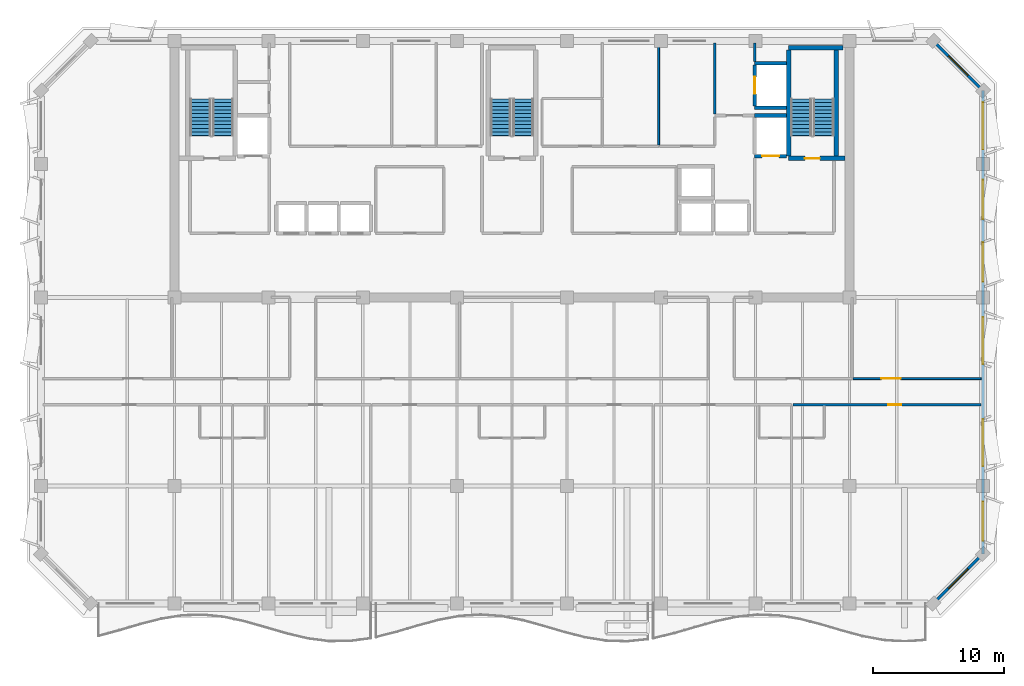
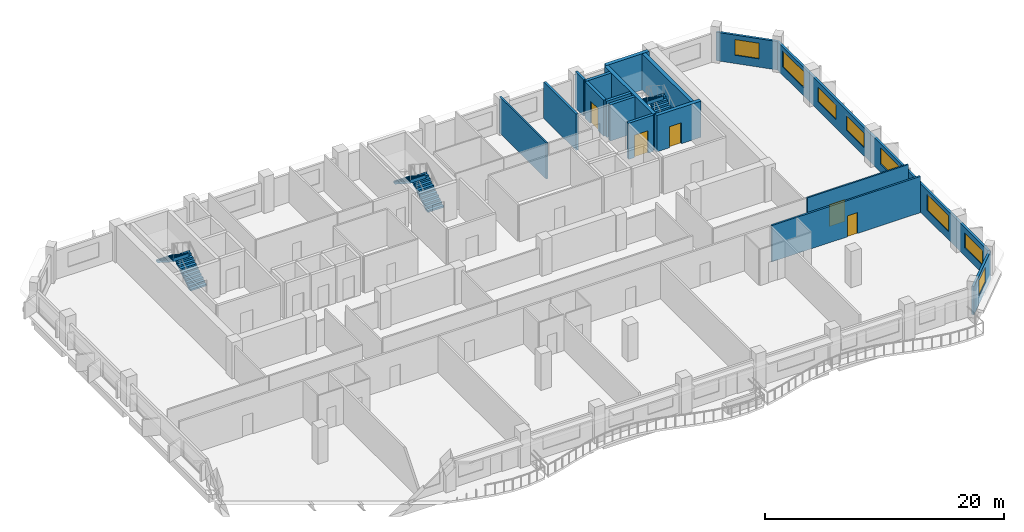
# One storey, part 7 of 10: 17 walls, 8 windows, 6 stair flights, 5 doors, 13 openings, 3 elements without a shape of their own.
"""IFC4 building model written with IfcOpenShell, lengths in metres."""

import ifcopenshell
import ifcopenshell.guid

model = None  # the IFC model being written
_history = None  # IfcOwnerHistory: only IFC2X3 demands one
_inside = {}  # id of a spatial element -> (the spatial element, [elements in it])
_under = {}  # id of a project, library or spatial element -> (it, [spatial elements below it])
_declared = {}  # id of a project -> (the project, [libraries it declares])
_typed = {}  # id of a type object -> (the type object, [elements of that type])
_made_of = {}  # id of a material, layer set ... -> (it, [elements and type objects made of it])


def new_model(schema):
    """Start an empty IFC model of exactly this schema.

    Asked for "IFC4X3", IfcOpenShell would pick the latest addendum, in which some entities
    have other attributes; the version numbers below select the first issue.
    IFC2X3 requires an IfcOwnerHistory on every rooted entity: one is made here for all.
    """
    global model, _history
    if schema == "IFC4X3":
        model = ifcopenshell.file(schema_version=(4, 3, 0, 0))
    else:
        model = ifcopenshell.file(schema=schema)
    _inside.clear()
    _under.clear()
    _declared.clear()
    _typed.clear()
    _made_of.clear()
    _history = None
    if model.schema == "IFC2X3":
        org = make("IfcOrganization", Name="unknown")
        user = make(
            "IfcPersonAndOrganization",
            ThePerson=make("IfcPerson", FamilyName="unknown"),
            TheOrganization=org,
        )
        app = make(
            "IfcApplication",
            ApplicationDeveloper=org,
            Version="unknown",
            ApplicationFullName="unknown",
            ApplicationIdentifier="unknown",
        )
        _history = make(
            "IfcOwnerHistory",
            OwningUser=user,
            OwningApplication=app,
            ChangeAction="ADDED",
            CreationDate=0,
        )
    return model


def make(cls, **values):
    """One entity of the class cls with the attributes given. An attribute that is None is left unset."""
    return model.create_entity(
        cls, **{name: value for name, value in values.items() if value is not None}
    )


def rooted(cls, **values):
    """An entity with a GlobalId (a new one), such as an element, a storey or a relation."""
    return make(cls, GlobalId=ifcopenshell.guid.new(), OwnerHistory=_history, **values)


def si_unit(unit_type, name, prefix=None):
    """IfcSIUnit, for example si_unit("LENGTHUNIT", "METRE", prefix="MILLI")."""
    return make("IfcSIUnit", UnitType=unit_type, Prefix=prefix, Name=name)


def assignment(units):
    """IfcUnitAssignment: the units of a project."""
    return None if units is None else make("IfcUnitAssignment", Units=units)


def point(xyz):
    """IfcCartesianPoint."""
    return None if xyz is None else make("IfcCartesianPoint", Coordinates=xyz)


def direction(xyz):
    """IfcDirection."""
    return None if xyz is None else make("IfcDirection", DirectionRatios=xyz)


def frame(location, z_axis=None, x_axis=None):
    """IfcAxis2Placement3D, a coordinate frame: its origin and axes. An axis left out is left unset."""
    return make(
        "IfcAxis2Placement3D",
        Location=point(location),
        Axis=direction(z_axis),
        RefDirection=direction(x_axis),
    )


def frame_2d(location, x_axis=None):
    """IfcAxis2Placement2D, a coordinate frame in the plane: its origin and x axis."""
    return make(
        "IfcAxis2Placement2D", Location=point(location), RefDirection=direction(x_axis)
    )


def origin():
    """The frame at (0, 0, 0) with its axes left unset."""
    return frame((0.0, 0.0, 0.0))


def place(relative_to, where):
    """IfcLocalPlacement: puts the frame where relative to a parent placement (None: the world)."""
    return make(
        "IfcLocalPlacement", PlacementRelTo=relative_to, RelativePlacement=where
    )


def context(
    kind, dimensions, precision=None, world=None, true_north=None, identifier=None
):
    """IfcGeometricRepresentationContext, for example the 3D "Model" context."""
    return make(
        "IfcGeometricRepresentationContext",
        ContextIdentifier=identifier,
        ContextType=kind,
        CoordinateSpaceDimension=dimensions,
        Precision=precision,
        WorldCoordinateSystem=world,
        TrueNorth=true_north,
    )


def subcontext(parent, identifier, kind, view, scale=None):
    """IfcGeometricRepresentationSubContext, for example "Body" below "Model"."""
    return make(
        "IfcGeometricRepresentationSubContext",
        ContextIdentifier=identifier,
        ContextType=kind,
        ParentContext=parent,
        TargetScale=scale,
        TargetView=view,
    )


def project(units=None, contexts=None):
    """IfcProject with its units and contexts."""
    return rooted(
        "IfcProject",
        Name="project",
        RepresentationContexts=contexts,
        UnitsInContext=assignment(units),
    )


def spatial(cls, under=None, at=None, **own):
    """A site, building, storey or space (cls), placed at a placement, below another one or the project."""
    s = rooted(cls, ObjectPlacement=at, **own)
    if under is not None:
        _under.setdefault(under.id(), (under, []))[1].append(s)
    return s


def polyline(points):
    """IfcPolyline through the points."""
    return make("IfcPolyline", Points=[point(p) for p in points])


def profile(cls, at=None, kind="AREA", **sizes):
    """A parametric profile (cls). Its sizes go by their IFC names, for example OverallWidth=200.0."""
    return make(cls, ProfileType=kind, Position=at, **sizes)


def rectangle(**sizes):
    """IfcRectangleProfileDef."""
    return profile("IfcRectangleProfileDef", **sizes)


def outline(outer, holes=None, kind="AREA"):
    """IfcArbitraryClosedProfileDef: a profile drawn as a closed curve; with holes, ...WithVoids."""
    if holes is None:
        return make("IfcArbitraryClosedProfileDef", ProfileType=kind, OuterCurve=outer)
    return make(
        "IfcArbitraryProfileDefWithVoids",
        ProfileType=kind,
        OuterCurve=outer,
        InnerCurves=holes,
    )


def extrude(swept, where, along, depth):
    """IfcExtrudedAreaSolid: the profile swept, set in the frame where, extruded along a direction by depth."""
    return make(
        "IfcExtrudedAreaSolid",
        SweptArea=swept,
        Position=where,
        ExtrudedDirection=direction(along),
        Depth=depth,
    )


def shape(context_of_items, identifier, shape_type, items):
    """IfcShapeRepresentation: the items that make up one representation, for example the "Body"."""
    return make(
        "IfcShapeRepresentation",
        ContextOfItems=context_of_items,
        RepresentationIdentifier=identifier,
        RepresentationType=shape_type,
        Items=items,
    )


def material(Name=None, Category=None):
    """IfcMaterial."""
    return make("IfcMaterial", Name=Name, Category=Category)


def layer(
    of_material, thickness, ventilated=None, Name=None, Category=None, Priority=None
):
    """IfcMaterialLayer: one layer of a wall or slab, of a material (None: an air gap)."""
    return make(
        "IfcMaterialLayer",
        Material=of_material,
        LayerThickness=thickness,
        IsVentilated=ventilated,
        Name=Name,
        Category=Category,
        Priority=Priority,
    )


def layer_set(layers, Name=None):
    """IfcMaterialLayerSet."""
    return make("IfcMaterialLayerSet", MaterialLayers=layers, LayerSetName=Name)


def made_of(thing, what):
    """Note that an element or type object is made of a material, layer set ...; save() writes the relation."""
    if what is not None:
        _made_of.setdefault(what.id(), (what, []))[1].append(thing)
    return thing


def type_object(cls, material=None, **own):
    """A type object (cls), such as IfcWallType, which elements share."""
    return made_of(rooted(cls, **own), material)


def element(
    cls,
    number,
    at=None,
    inside=None,
    cuts=None,
    type_object=None,
    material=None,
    context=None,
    identifier="Body",
    shape_type=None,
    held_by="IfcProductDefinitionShape",
    body=None,
    shapes=None,
    **own,
):
    """One element of the class cls, such as IfcWall. Its Tag is "e" and its number.

    at: its placement. inside: the storey or other place that contains it. cuts: it is an
    opening in that element (IfcRelVoidsElement). A single representation is given by context,
    identifier, shape_type and body (its items); several are given by shapes. held_by: the class
    of the entity that holds the representations. save() writes the other relations.
    """
    e = rooted(cls, Tag="e%d" % number, ObjectPlacement=at, **own)
    if body is not None:
        shapes = [shape(context, identifier, shape_type, body)]
    if shapes is not None:
        e.Representation = make(held_by, Representations=shapes)
    if inside is not None:
        _inside.setdefault(inside.id(), (inside, []))[1].append(e)
    if cuts is not None:
        rooted(
            "IfcRelVoidsElement", RelatingBuildingElement=cuts, RelatedOpeningElement=e
        )
    if type_object is not None:
        _typed.setdefault(type_object.id(), (type_object, []))[1].append(e)
    return made_of(e, material)


def fill(opening, filler):
    """IfcRelFillsElement: the door or window that sits in an opening."""
    return rooted(
        "IfcRelFillsElement",
        RelatingOpeningElement=opening,
        RelatedBuildingElement=filler,
    )


def aggregate(whole, parts):
    """IfcRelAggregates: a whole, such as a stair, and the parts it consists of."""
    return rooted("IfcRelAggregates", RelatingObject=whole, RelatedObjects=parts)


def save(model, path):
    """Write the relations noted so far, then the file.

    IfcRelAggregates (storeys below a building ...), IfcRelContainedInSpatialStructure (elements
    in a storey), IfcRelDefinesByType, IfcRelAssociatesMaterial and IfcRelDeclares: one each for
    every whole, place, type object, material and project.
    """
    for whole, parts in _under.values():
        aggregate(whole, parts)
    for where, things in _inside.values():
        rooted(
            "IfcRelContainedInSpatialStructure",
            RelatedElements=things,
            RelatingStructure=where,
        )
    for kind, things in _typed.values():
        rooted("IfcRelDefinesByType", RelatedObjects=things, RelatingType=kind)
    for what, things in _made_of.values():
        rooted("IfcRelAssociatesMaterial", RelatedObjects=things, RelatingMaterial=what)
    for by, libraries in _declared.values():
        rooted("IfcRelDeclares", RelatingContext=by, RelatedDefinitions=libraries)
    model.write(path)


model = new_model("IFC4")

# Units and contexts
model_context = context("Model", 3, precision=1e-05, world=origin(), true_north=direction((0.0, 1.0)))
body_context = subcontext(model_context, "Body", "Model", "MODEL_VIEW")
ifc_project = project(units=[si_unit("LENGTHUNIT", "METRE"), si_unit("AREAUNIT", "SQUARE_METRE"), si_unit("VOLUMEUNIT", "CUBIC_METRE"), si_unit("PLANEANGLEUNIT", "RADIAN"), si_unit("MASSUNIT", "GRAM", prefix="KILO")], contexts=[model_context])

# Site, building, storey
site_placement = place(None, origin())
site = spatial("IfcSite", under=ifc_project, at=site_placement, CompositionType="ELEMENT")
building_placement = place(site_placement, origin())
building = spatial("IfcBuilding", under=site, at=building_placement, Name="Kaelvorn Grand Hotel", CompositionType="ELEMENT")
storey_placement = place(building_placement, frame((0.0, 0.0, 260.75)))
storey = spatial("IfcBuildingStorey", under=building, at=storey_placement, Name="L64", CompositionType="ELEMENT", Elevation=260.75)

# Wall, opening, window
ifc_material_1 = material(Name="Concrete C40/50", Category="concrete")
ifc_layer_1 = layer(ifc_material_1, 0.219970703125)
ifc_layer_set_1 = layer_set([ifc_layer_1], Name="Concrete C40/50")
wall_type_1 = type_object("IfcWallType", Name="WL-EXT-220-C40", PredefinedType="SOLIDWALL", material=ifc_layer_set_1)
wall_1_placement = place(storey_placement, frame((74.199951171875, 6.0, 0.0), z_axis=(0.0, 0.0, 1.0), x_axis=(0.707106781187, 0.707106781187, 0.0)))
wall_1 = element("IfcWall", 1, at=wall_1_placement, inside=storey, type_object=wall_type_1, Name="L64 Exterior Architectural Concrete Wall 02", PredefinedType="SOLIDWALL", context=body_context, shape_type="SweptSolid", body=[
    extrude(rectangle(XDim=5.3740234375, YDim=0.219970703125, at=frame_2d((2.68701171875, 0.0))), origin(), (0.0, 0.0, 1.0), 2.909912109375),
])
opening_1_placement = place(wall_1_placement, frame((1.636962890625, 0.0, 0.85009765625)))
opening_1 = element("IfcOpeningElement", 2, at=opening_1_placement, cuts=wall_1, Name="Opening W7", PredefinedType="OPENING", context=body_context, shape_type="SweptSolid", body=[
    extrude(rectangle(XDim=2.10009765625, YDim=1.60009765625, at=frame_2d((1.050048828125, 0.800048828125))), frame((0.0, 0.1201171875, 0.0), z_axis=(0.0, -1.0, 0.0), x_axis=(1.0, 0.0, 0.0)), (0.0, 0.0, 1.0), 0.239990234375),
])
ifc_material_2 = material(Name="Laminated Low-E Glass", Category="glass")
window_type_1 = type_object("IfcWindowType", Name="WIN-CHM-2100x1600", PartitioningType="SINGLE_PANEL", PredefinedType="WINDOW", material=ifc_material_2)
window_1_placement = place(opening_1_placement, origin())
window_1 = element("IfcWindow", 3, at=window_1_placement, inside=storey, type_object=window_type_1, Name="L64 Chamfered 45-Degree Corner Window SE", OverallHeight=1.60009765625, OverallWidth=2.10009765625, PartitioningType="SINGLE_PANEL", PredefinedType="WINDOW", context=body_context, shape_type="SweptSolid", body=[
    extrude(rectangle(XDim=2.10009765625, YDim=1.60009765625, at=frame_2d((1.050048828125, 0.800048828125))), frame((0.0, 0.030029296875, 0.0), z_axis=(0.0, -1.0, 0.0), x_axis=(1.0, 0.0, 0.0)), (0.0, 0.0, 1.0), 0.06005859375),
])
fill(opening_1, window_1)

# Wall, openings, windows
wall_2_placement = place(storey_placement, frame((78.0, 9.800048828125, 0.0), z_axis=(0.0, 0.0, 1.0), x_axis=(0.0, 1.0, 0.0)))
wall_2 = element("IfcWall", 4, at=wall_2_placement, inside=storey, type_object=wall_type_1, Name="L64 Exterior Architectural Concrete Wall 03", PredefinedType="SOLIDWALL", context=body_context, shape_type="SweptSolid", body=[
    extrude(rectangle(XDim=35.39990234375, YDim=0.219970703125, at=frame_2d((17.699951171875, 0.0))), origin(), (0.0, 0.0, 1.0), 2.909912109375),
])
opening_2_placement = place(wall_2_placement, frame((0.985107421875, 0.0, 0.85009765625)))
opening_2 = element("IfcOpeningElement", 5, at=opening_2_placement, cuts=wall_2, Name="Opening W5", PredefinedType="OPENING", context=body_context, shape_type="SweptSolid", body=[
    extrude(rectangle(XDim=3.0, YDim=1.5, at=frame_2d((1.5, 0.75))), frame((0.0, 0.1201171875, 0.0), z_axis=(0.0, -1.0, 0.0), x_axis=(1.0, 0.0, 0.0)), (0.0, 0.0, 1.0), 0.239990234375),
])
opening_3_placement = place(wall_2_placement, frame((6.699951171875, 0.0, 0.85009765625)))
opening_3 = element("IfcOpeningElement", 6, at=opening_3_placement, cuts=wall_2, Name="Opening W3", PredefinedType="OPENING", context=body_context, shape_type="SweptSolid", body=[
    extrude(rectangle(XDim=3.60009765625, YDim=1.64990234375, at=frame_2d((1.800048828125, 0.824951171875))), frame((0.0, 0.1201171875, 0.0), z_axis=(0.0, -1.0, 0.0), x_axis=(1.0, 0.0, 0.0)), (0.0, 0.0, 1.0), 0.239990234375),
])
opening_4_placement = place(wall_2_placement, frame((14.5, 0.0, 0.85009765625)))
opening_4 = element("IfcOpeningElement", 7, at=opening_4_placement, cuts=wall_2, Name="Opening W3", PredefinedType="OPENING", context=body_context, shape_type="SweptSolid", body=[
    extrude(rectangle(XDim=3.60009765625, YDim=1.64990234375, at=frame_2d((1.800048828125, 0.824951171875))), frame((0.0, 0.1201171875, 0.0), z_axis=(0.0, -1.0, 0.0), x_axis=(1.0, 0.0, 0.0)), (0.0, 0.0, 1.0), 0.239990234375),
])
opening_5_placement = place(wall_2_placement, frame((20.81494140625, 0.0, 0.85009765625)))
opening_5 = element("IfcOpeningElement", 8, at=opening_5_placement, cuts=wall_2, Name="Opening W5", PredefinedType="OPENING", context=body_context, shape_type="SweptSolid", body=[
    extrude(rectangle(XDim=3.0, YDim=1.5, at=frame_2d((1.5, 0.75))), frame((0.0, 0.1201171875, 0.0), z_axis=(0.0, -1.0, 0.0), x_axis=(1.0, 0.0, 0.0)), (0.0, 0.0, 1.0), 0.239990234375),
])
opening_6_placement = place(wall_2_placement, frame((25.5849609375, 0.0, 0.85009765625)))
opening_6 = element("IfcOpeningElement", 9, at=opening_6_placement, cuts=wall_2, Name="Opening W5", PredefinedType="OPENING", context=body_context, shape_type="SweptSolid", body=[
    extrude(rectangle(XDim=3.0, YDim=1.5, at=frame_2d((1.5, 0.75))), frame((0.0, 0.1201171875, 0.0), z_axis=(0.0, -1.0, 0.0), x_axis=(1.0, 0.0, 0.0)), (0.0, 0.0, 1.0), 0.239990234375),
])
opening_7_placement = place(wall_2_placement, frame((30.9150390625, 0.0, 0.85009765625)))
opening_7 = element("IfcOpeningElement", 10, at=opening_7_placement, cuts=wall_2, Name="Opening W3", PredefinedType="OPENING", context=body_context, shape_type="SweptSolid", body=[
    extrude(rectangle(XDim=3.60009765625, YDim=1.64990234375, at=frame_2d((1.800048828125, 0.824951171875))), frame((0.0, 0.1201171875, 0.0), z_axis=(0.0, -1.0, 0.0), x_axis=(1.0, 0.0, 0.0)), (0.0, 0.0, 1.0), 0.239990234375),
])
window_type_2 = type_object("IfcWindowType", Name="WIN-NTH-3000x1500", PartitioningType="SINGLE_PANEL", PredefinedType="WINDOW", material=ifc_material_2)
window_2_placement = place(opening_2_placement, origin())
window_2 = element("IfcWindow", 11, at=window_2_placement, inside=storey, type_object=window_type_2, Name="L64 E Wing Tilted-Frame Ribbon Window E01", OverallHeight=1.5, OverallWidth=3.0, PartitioningType="SINGLE_PANEL", PredefinedType="WINDOW", context=body_context, shape_type="SweptSolid", body=[
    extrude(rectangle(XDim=3.0, YDim=1.5, at=frame_2d((1.5, 0.75))), frame((0.0, 0.030029296875, 0.0), z_axis=(0.0, -1.0, 0.0), x_axis=(1.0, 0.0, 0.0)), (0.0, 0.0, 1.0), 0.06005859375),
])
fill(opening_2, window_2)
window_3_placement = place(opening_5_placement, origin())
window_3 = element("IfcWindow", 12, at=window_3_placement, inside=storey, type_object=window_type_2, Name="L64 E Wing Tilted-Frame Ribbon Window E04", OverallHeight=1.5, OverallWidth=3.0, PartitioningType="SINGLE_PANEL", PredefinedType="WINDOW", context=body_context, shape_type="SweptSolid", body=[
    extrude(rectangle(XDim=3.0, YDim=1.5, at=frame_2d((1.5, 0.75))), frame((0.0, 0.030029296875, 0.0), z_axis=(0.0, -1.0, 0.0), x_axis=(1.0, 0.0, 0.0)), (0.0, 0.0, 1.0), 0.06005859375),
])
fill(opening_5, window_3)
window_4_placement = place(opening_6_placement, origin())
window_4 = element("IfcWindow", 13, at=window_4_placement, inside=storey, type_object=window_type_2, Name="L64 E Wing Tilted-Frame Ribbon Window E05", OverallHeight=1.5, OverallWidth=3.0, PartitioningType="SINGLE_PANEL", PredefinedType="WINDOW", context=body_context, shape_type="SweptSolid", body=[
    extrude(rectangle(XDim=3.0, YDim=1.5, at=frame_2d((1.5, 0.75))), frame((0.0, 0.030029296875, 0.0), z_axis=(0.0, -1.0, 0.0), x_axis=(1.0, 0.0, 0.0)), (0.0, 0.0, 1.0), 0.06005859375),
])
fill(opening_6, window_4)
window_type_3 = type_object("IfcWindowType", Name="WIN-RIB-3600x1750", PartitioningType="SINGLE_PANEL", PredefinedType="WINDOW", material=ifc_material_2)
window_5_placement = place(opening_3_placement, origin())
window_5 = element("IfcWindow", 14, at=window_5_placement, inside=storey, type_object=window_type_3, Name="L64 E Wing Tilted-Frame Ribbon Window E02", OverallHeight=1.64990234375, OverallWidth=3.60009765625, PartitioningType="SINGLE_PANEL", PredefinedType="WINDOW", context=body_context, shape_type="SweptSolid", body=[
    extrude(rectangle(XDim=3.60009765625, YDim=1.64990234375, at=frame_2d((1.800048828125, 0.824951171875))), frame((0.0, 0.030029296875, 0.0), z_axis=(0.0, -1.0, 0.0), x_axis=(1.0, 0.0, 0.0)), (0.0, 0.0, 1.0), 0.06005859375),
])
fill(opening_3, window_5)
window_6_placement = place(opening_4_placement, origin())
window_6 = element("IfcWindow", 15, at=window_6_placement, inside=storey, type_object=window_type_3, Name="L64 E Wing Tilted-Frame Ribbon Window E03", OverallHeight=1.64990234375, OverallWidth=3.60009765625, PartitioningType="SINGLE_PANEL", PredefinedType="WINDOW", context=body_context, shape_type="SweptSolid", body=[
    extrude(rectangle(XDim=3.60009765625, YDim=1.64990234375, at=frame_2d((1.800048828125, 0.824951171875))), frame((0.0, 0.030029296875, 0.0), z_axis=(0.0, -1.0, 0.0), x_axis=(1.0, 0.0, 0.0)), (0.0, 0.0, 1.0), 0.06005859375),
])
fill(opening_4, window_6)
window_7_placement = place(opening_7_placement, origin())
window_7 = element("IfcWindow", 16, at=window_7_placement, inside=storey, type_object=window_type_3, Name="L64 E Wing Tilted-Frame Ribbon Window E06", OverallHeight=1.64990234375, OverallWidth=3.60009765625, PartitioningType="SINGLE_PANEL", PredefinedType="WINDOW", context=body_context, shape_type="SweptSolid", body=[
    extrude(rectangle(XDim=3.60009765625, YDim=1.64990234375, at=frame_2d((1.800048828125, 0.824951171875))), frame((0.0, 0.030029296875, 0.0), z_axis=(0.0, -1.0, 0.0), x_axis=(1.0, 0.0, 0.0)), (0.0, 0.0, 1.0), 0.06005859375),
])
fill(opening_7, window_7)

# Wall, opening, window
wall_3_placement = place(storey_placement, frame((78.0, 45.199951171875, 0.0), z_axis=(0.0, 0.0, 1.0), x_axis=(-0.707106781187, 0.707106781187, 0.0)))
wall_3 = element("IfcWall", 17, at=wall_3_placement, inside=storey, type_object=wall_type_1, Name="L64 Exterior Architectural Concrete Wall 04", PredefinedType="SOLIDWALL", context=body_context, shape_type="SweptSolid", body=[
    extrude(rectangle(XDim=5.3740234375, YDim=0.219970703125, at=frame_2d((2.68701171875, 0.0))), origin(), (0.0, 0.0, 1.0), 2.909912109375),
])
opening_8_placement = place(wall_3_placement, frame((1.636962890625, 0.0, 0.85009765625)))
opening_8 = element("IfcOpeningElement", 18, at=opening_8_placement, cuts=wall_3, Name="Opening W7", PredefinedType="OPENING", context=body_context, shape_type="SweptSolid", body=[
    extrude(rectangle(XDim=2.10009765625, YDim=1.60009765625, at=frame_2d((1.050048828125, 0.800048828125))), frame((0.0, 0.1201171875, 0.0), z_axis=(0.0, -1.0, 0.0), x_axis=(1.0, 0.0, 0.0)), (0.0, 0.0, 1.0), 0.239990234375),
])
window_8_placement = place(opening_8_placement, origin())
window_8 = element("IfcWindow", 19, at=window_8_placement, inside=storey, type_object=window_type_1, Name="L64 Chamfered 45-Degree Corner Window NE", OverallHeight=1.60009765625, OverallWidth=2.10009765625, PartitioningType="SINGLE_PANEL", PredefinedType="WINDOW", context=body_context, shape_type="SweptSolid", body=[
    extrude(rectangle(XDim=2.10009765625, YDim=1.60009765625, at=frame_2d((1.050048828125, 0.800048828125))), frame((0.0, 0.030029296875, 0.0), z_axis=(0.0, -1.0, 0.0), x_axis=(1.0, 0.0, 0.0)), (0.0, 0.0, 1.0), 0.06005859375),
])
fill(opening_8, window_8)

# Wall
ifc_material_3 = material(Name="Acoustic Gypsum & Stud Partition")
ifc_layer_2 = layer(ifc_material_3, 0.14990234375)
ifc_layer_set_2 = layer_set([ifc_layer_2], Name="Acoustic Gypsum & Stud Partition")
wall_type_2 = type_object("IfcWallType", Name="WL-PART-150-EI60", PredefinedType="PARTITIONING", material=ifc_layer_set_2)
wall_4_placement = place(storey_placement, frame((53.199951171875, 41.030029296875, 0.0), z_axis=(0.0, 0.0, 1.0), x_axis=(0.0, 1.0, 0.0)))
element("IfcWall", 20, at=wall_4_placement, inside=storey, type_object=wall_type_2, Name="L64 Minibar & Glassware Store E Partition", PredefinedType="PARTITIONING", context=body_context, shape_type="SweptSolid", body=[
    extrude(rectangle(XDim=7.820068359375, YDim=0.14990234375, at=frame_2d((3.91015625, 0.0))), origin(), (0.0, 0.0, 1.0), 3.7099609375),
])

# Wall, opening, door
wall_5_placement = place(storey_placement, frame((68.080078125, 23.199951171875, 0.0), z_axis=(0.0, 0.0, 1.0), x_axis=(1.0, 0.0, 0.0)))
wall_5 = element("IfcWall", 21, at=wall_5_placement, inside=storey, type_object=wall_type_2, Name="L64 East Sky Reading Library Lounge S Partition", PredefinedType="PARTITIONING", context=body_context, shape_type="SweptSolid", body=[
    extrude(rectangle(XDim=9.77001953125, YDim=0.14990234375, at=frame_2d((4.885009765625, 0.0))), origin(), (0.0, 0.0, 1.0), 3.7099609375),
])
opening_9_placement = place(wall_5_placement, frame((2.139892578125, 0.0, 0.0)))
opening_9 = element("IfcOpeningElement", 22, at=opening_9_placement, cuts=wall_5, Name="Opening DI5", PredefinedType="OPENING", context=body_context, shape_type="SweptSolid", body=[
    extrude(rectangle(XDim=1.5, YDim=2.25, at=frame_2d((0.75, 1.125))), frame((0.0, 0.0849609375, 0.0), z_axis=(0.0, -1.0, 0.0), x_axis=(1.0, 0.0, 0.0)), (0.0, 0.0, 1.0), 0.169921875),
])
ifc_material_4 = material(Name="Timber Veneer Fire Leaf", Category="wood")
door_type_1 = type_object("IfcDoorType", Name="DR-INT-SALON-1500x2250", OperationType="DOUBLE_DOOR_SINGLE_SWING", PredefinedType="DOOR", material=ifc_material_4)
door_1_placement = place(opening_9_placement, origin())
door_1 = element("IfcDoor", 23, at=door_1_placement, inside=storey, type_object=door_type_1, Name="L64 East Sky Reading Library Lounge Door", OperationType="DOUBLE_DOOR_SINGLE_SWING", OverallHeight=2.25, OverallWidth=1.5, PredefinedType="DOOR", context=body_context, shape_type="SweptSolid", body=[
    extrude(rectangle(XDim=1.5, YDim=2.25, at=frame_2d((0.75, 1.125))), frame((0.0, 0.02490234375, 0.0), z_axis=(0.0, -1.0, 0.0), x_axis=(1.0, 0.0, 0.0)), (0.0, 0.0, 1.0), 0.050048828125),
])
fill(opening_9, door_1)

ifc_layer_3 = layer(ifc_material_3, 0.179931640625)
ifc_layer_set_3 = layer_set([ifc_layer_3], Name="Acoustic Gypsum & Stud Partition")
wall_type_3 = type_object("IfcWallType", Name="WL-PART-180-EI60", PredefinedType="PARTITIONING", material=ifc_layer_set_3)
wall_6_placement = place(storey_placement, frame((63.461669921875, 21.199951171875, 0.0), z_axis=(0.0, 0.0, 1.0), x_axis=(1.0, 0.0, 0.0)))
wall_6 = element("IfcWall", 24, at=wall_6_placement, inside=storey, type_object=wall_type_3, Name="L64 Ambassador Junior Suite L64-06 N Partition", PredefinedType="PARTITIONING", context=body_context, shape_type="SweptSolid", body=[
    extrude(rectangle(XDim=14.388427734375, YDim=0.179931640625, at=frame_2d((7.1943359375, 0.0))), origin(), (0.0, 0.0, 1.0), 3.7099609375),
])
opening_10_placement = place(wall_6_placement, frame((7.303466796875, 0.0, 0.0)))
opening_10 = element("IfcOpeningElement", 25, at=opening_10_placement, cuts=wall_6, Name="Opening DI3", PredefinedType="OPENING", context=body_context, shape_type="SweptSolid", body=[
    extrude(rectangle(XDim=1.0, YDim=2.14990234375, at=frame_2d((0.5, 1.074951171875))), frame((0.0, 0.10009765625, 0.0), z_axis=(0.0, -1.0, 0.0), x_axis=(1.0, 0.0, 0.0)), (0.0, 0.0, 1.0), 0.199951171875),
])
door_type_2 = type_object("IfcDoorType", Name="DR-INT-GUEST-1000x2150", OperationType="NOTDEFINED", PredefinedType="DOOR", material=ifc_material_4)
door_2_placement = place(opening_10_placement, origin())
door_2 = element("IfcDoor", 26, at=door_2_placement, inside=storey, type_object=door_type_2, Name="L64 Ambassador Junior Suite L64-06 Door", OperationType="SINGLE_SWING_LEFT", OverallHeight=2.14990234375, OverallWidth=1.0, PredefinedType="DOOR", context=body_context, shape_type="SweptSolid", body=[
    extrude(rectangle(XDim=1.0, YDim=2.14990234375, at=frame_2d((0.5, 1.074951171875))), frame((0.0, 0.02490234375, 0.0), z_axis=(0.0, -1.0, 0.0), x_axis=(1.0, 0.0, 0.0)), (0.0, 0.0, 1.0), 0.050048828125),
])
fill(opening_10, door_2)

# Walls
ifc_layer_4 = layer(ifc_material_1, 0.219970703125)
ifc_layer_set_4 = layer_set([ifc_layer_4], Name="Concrete C40/50")
wall_type_4 = type_object("IfcWallType", Name="WL-PART-220-EI120", PredefinedType="PARTITIONING", material=ifc_layer_set_4)
wall_7_placement = place(storey_placement, frame((57.5, 43.4150390625, 0.0), z_axis=(0.0, 0.0, 1.0), x_axis=(0.0, 1.0, 0.0)))
element("IfcWall", 27, at=wall_7_placement, inside=storey, type_object=wall_type_4, Name="L64 Service Lift Lobby W Partition", PredefinedType="PARTITIONING", context=body_context, shape_type="SweptSolid", body=[
    extrude(rectangle(XDim=5.43505859375, YDim=0.219970703125, at=frame_2d((2.717529296875, 0.0))), origin(), (0.0, 0.0, 1.0), 3.7099609375),
])
wall_8_placement = place(storey_placement, frame((60.550048828125, 47.445068359375, 0.0), z_axis=(0.0, 0.0, 1.0), x_axis=(0.0, 1.0, 0.0)))
element("IfcWall", 28, at=wall_8_placement, inside=storey, type_object=wall_type_4, Name="L64 Service Lift Lobby E Partition", PredefinedType="PARTITIONING", context=body_context, shape_type="SweptSolid", body=[
    extrude(rectangle(XDim=1.405029296875, YDim=0.219970703125, at=frame_2d((0.70263671875, 0.0))), origin(), (0.0, 0.0, 1.0), 3.7099609375),
])

# Wall, opening, door
ifc_material_5 = material(Name="Concrete C50/60", Category="concrete")
ifc_layer_5 = layer(ifc_material_5, 0.280029296875)
ifc_layer_set_5 = layer_set([ifc_layer_5], Name="Concrete C50/60")
wall_type_5 = type_object("IfcWallType", Name="WL-SHAFT-280-C50", PredefinedType="SHEAR", material=ifc_layer_set_5)
wall_9_placement = place(storey_placement, frame((60.550048828125, 40.199951171875, 0.0), z_axis=(0.0, 0.0, 1.0), x_axis=(1.0, 0.0, 0.0)))
wall_9 = element("IfcWall", 29, at=wall_9_placement, inside=storey, type_object=wall_type_5, Name="L64 Lift FFL2 Shaft South Wall", PredefinedType="SHEAR", context=body_context, shape_type="SweptSolid", body=[
    extrude(rectangle(XDim=2.4150390625, YDim=0.280029296875, at=frame_2d((1.20751953125, 0.0))), origin(), (0.0, 0.0, 1.0), 3.7099609375),
])
opening_11_placement = place(wall_9_placement, frame((0.574951171875, 0.0, 0.0)))
opening_11 = element("IfcOpeningElement", 30, at=opening_11_placement, cuts=wall_9, Name="Opening LD-FFL2", PredefinedType="OPENING", context=body_context, shape_type="SweptSolid", body=[
    extrude(rectangle(XDim=1.300048828125, YDim=2.300048828125, at=frame_2d((0.64990234375, 1.14990234375))), frame((0.0, 0.14990234375, 0.0), z_axis=(0.0, -1.0, 0.0), x_axis=(1.0, 0.0, 0.0)), (0.0, 0.0, 1.0), 0.300048828125),
])
ifc_material_6 = material(Name="Stainless Steel", Category="steel")
door_type_3 = type_object("IfcDoorType", Name="DR-LIFT-SERV-1300x2300", OperationType="DOUBLE_DOOR_SLIDING", PredefinedType="DOOR", material=ifc_material_6)
door_3_placement = place(opening_11_placement, origin())
door_3 = element("IfcDoor", 31, at=door_3_placement, inside=storey, type_object=door_type_3, Name="L64 Lift FFL2 Sliding Landing Door LD-FFL2", OperationType="DOUBLE_DOOR_SLIDING", OverallHeight=2.300048828125, OverallWidth=1.300048828125, PredefinedType="DOOR", context=body_context, shape_type="SweptSolid", body=[
    extrude(rectangle(XDim=1.300048828125, YDim=2.300048828125, at=frame_2d((0.64990234375, 1.14990234375))), frame((0.0, 0.02490234375, 0.0), z_axis=(0.0, -1.0, 0.0), x_axis=(1.0, 0.0, 0.0)), (0.0, 0.0, 1.0), 0.050048828125),
])
fill(opening_11, door_3)

# Walls
for number, where, z_axis, x_axis, name in (
    (32, (60.550048828125, 43.300048828125, 0.0), (0.0, 0.0, 1.0), (1.0, 0.0, 0.0), "L64 Lift FFL2 Shaft North Wall"),
    (33, (60.550048828125, 43.89990234375, 0.0), (0.0, 0.0, 1.0), (1.0, 0.0, 0.0), "L64 Lift SV1 Shaft South Wall"),
    (34, (60.550048828125, 47.300048828125, 0.0), (0.0, 0.0, 1.0), (1.0, 0.0, 0.0), "L64 Lift SV1 Shaft North Wall"),
):
    element("IfcWall", number, at=place(storey_placement, frame(where, z_axis=z_axis, x_axis=x_axis)), inside=storey, type_object=wall_type_5, Name=name, PredefinedType="SHEAR", context=body_context, shape_type="SweptSolid", body=[
        extrude(rectangle(XDim=2.4150390625, YDim=0.280029296875, at=frame_2d((1.20751953125, 0.0))), origin(), (0.0, 0.0, 1.0), 3.7099609375),
    ])

# Wall, opening, door
wall_10_placement = place(storey_placement, frame((60.550048828125, 44.044921875, 0.0), z_axis=(0.0, 0.0, 1.0), x_axis=(0.0, 1.0, 0.0)))
wall_10 = element("IfcWall", 35, at=wall_10_placement, inside=storey, type_object=wall_type_5, Name="L64 Lift SV1 Shaft West Wall", PredefinedType="SHEAR", context=body_context, shape_type="SweptSolid", body=[
    extrude(rectangle(XDim=3.110107421875, YDim=0.280029296875, at=frame_2d((1.55517578125, 0.0))), origin(), (0.0, 0.0, 1.0), 3.7099609375),
])
opening_12_placement = place(wall_10_placement, frame((0.905029296875, 0.0, 0.0)))
opening_12 = element("IfcOpeningElement", 36, at=opening_12_placement, cuts=wall_10, Name="Opening LD-SV1", PredefinedType="OPENING", context=body_context, shape_type="SweptSolid", body=[
    extrude(rectangle(XDim=1.300048828125, YDim=2.300048828125, at=frame_2d((0.64990234375, 1.14990234375))), frame((0.0, 0.14990234375, 0.0), z_axis=(0.0, -1.0, 0.0), x_axis=(1.0, 0.0, 0.0)), (0.0, 0.0, 1.0), 0.300048828125),
])
door_4_placement = place(opening_12_placement, origin())
door_4 = element("IfcDoor", 37, at=door_4_placement, inside=storey, type_object=door_type_3, Name="L64 Lift SV1 Sliding Landing Door LD-SV1", OperationType="DOUBLE_DOOR_SLIDING", OverallHeight=2.300048828125, OverallWidth=1.300048828125, PredefinedType="DOOR", context=body_context, shape_type="SweptSolid", body=[
    extrude(rectangle(XDim=1.300048828125, YDim=2.300048828125, at=frame_2d((0.64990234375, 1.14990234375))), frame((0.0, 0.02490234375, 0.0), z_axis=(0.0, -1.0, 0.0), x_axis=(1.0, 0.0, 0.0)), (0.0, 0.0, 1.0), 0.050048828125),
])
fill(opening_12, door_4)

ifc_material_7 = material(Name="Concrete C60/75", Category="concrete")
ifc_layer_6 = layer(ifc_material_7, 0.35009765625)
ifc_layer_set_6 = layer_set([ifc_layer_6], Name="Concrete C60/75")
wall_type_6 = type_object("IfcWallType", Name="WL-SHAFT-350-C60", PredefinedType="SHEAR", material=ifc_layer_set_6)
wall_11_placement = place(storey_placement, frame((63.14501953125, 40.02490234375, 0.0), z_axis=(0.0, 0.0, 1.0), x_axis=(1.0, 0.0, 0.0)))
wall_11 = element("IfcWall", 38, at=wall_11_placement, inside=storey, type_object=wall_type_6, Name="L64 ST3 Stair Shaft South Wall", PredefinedType="SHEAR", context=body_context, shape_type="SweptSolid", body=[
    extrude(rectangle(XDim=4.300048828125, YDim=0.35009765625, at=frame_2d((2.14990234375, 0.0))), origin(), (0.0, 0.0, 1.0), 3.7099609375),
])
opening_13_placement = place(wall_11_placement, frame((1.239990234375, 0.0, 0.0)))
opening_13 = element("IfcOpeningElement", 39, at=opening_13_placement, cuts=wall_11, Name="Opening DI1", PredefinedType="OPENING", context=body_context, shape_type="SweptSolid", body=[
    extrude(rectangle(XDim=1.14990234375, YDim=2.14990234375, at=frame_2d((0.574951171875, 1.074951171875))), frame((0.0, 0.18505859375, 0.0), z_axis=(0.0, -1.0, 0.0), x_axis=(1.0, 0.0, 0.0)), (0.0, 0.0, 1.0), 0.3701171875),
])
door_type_4 = type_object("IfcDoorType", Name="DR-INT-STAIR-1150x2150", OperationType="NOTDEFINED", PredefinedType="DOOR", material=ifc_material_4)
door_5_placement = place(opening_13_placement, origin())
door_5 = element("IfcDoor", 40, at=door_5_placement, inside=storey, type_object=door_type_4, Name="L64 ST3 Exit Stair Fire Door", OperationType="SINGLE_SWING_RIGHT", OverallHeight=2.14990234375, OverallWidth=1.14990234375, PredefinedType="DOOR", context=body_context, shape_type="SweptSolid", body=[
    extrude(rectangle(XDim=1.14990234375, YDim=2.14990234375, at=frame_2d((0.574951171875, 1.074951171875))), frame((0.0, 0.02490234375, 0.0), z_axis=(0.0, -1.0, 0.0), x_axis=(1.0, 0.0, 0.0)), (0.0, 0.0, 1.0), 0.050048828125),
])
fill(opening_13, door_5)

# Walls
wall_12_placement = place(storey_placement, frame((63.14501953125, 48.47509765625, 0.0), z_axis=(0.0, 0.0, 1.0), x_axis=(1.0, 0.0, 0.0)))
element("IfcWall", 41, at=wall_12_placement, inside=storey, type_object=wall_type_6, Name="L64 ST3 Stair Shaft North Wall", PredefinedType="SHEAR", context=body_context, shape_type="SweptSolid", body=[
    extrude(rectangle(XDim=4.14990234375, YDim=0.35009765625, at=frame_2d((2.074951171875, 0.0))), origin(), (0.0, 0.0, 1.0), 3.7099609375),
])
for number, where, z_axis, x_axis, name in (
    (42, (63.14501953125, 40.205078125, 0.0), (0.0, 0.0, 1.0), (0.0, 1.0, 0.0), "L64 ST3 Stair Shaft West Wall"),
    (43, (66.77490234375, 40.205078125, 0.0), (0.0, 0.0, 1.0), (0.0, 1.0, 0.0), "L64 ST3 Stair Shaft East Wall"),
):
    element("IfcWall", number, at=place(storey_placement, frame(where, z_axis=z_axis, x_axis=x_axis)), inside=storey, type_object=wall_type_6, Name=name, PredefinedType="SHEAR", context=body_context, shape_type="SweptSolid", body=[
        extrude(rectangle(XDim=8.08984375, YDim=0.35009765625, at=frame_2d((4.044921875, 0.0))), origin(), (0.0, 0.0, 1.0), 3.7099609375),
    ])

# Stair, stair flights
stair_type = type_object("IfcStairType", Name="STR-DOG-1560-R09", PredefinedType="HALF_TURN_STAIR", material=ifc_material_1)
stair_1_placement = place(storey_placement, origin())
stair_1 = element("IfcStair", 44, at=stair_1_placement, inside=storey, type_object=stair_type, Name="L64 West Core Exit Stair ST1", PredefinedType="HALF_TURN_STAIR")
stair_flight_type = type_object("IfcStairFlightType", Name="FLG-DOG-1560-R09", PredefinedType="STRAIGHT", material=ifc_material_1)
stair_flight_1_placement = place(storey_placement, frame((19.89990234375, 41.760009765625, 0.0), z_axis=(0.0, 0.0, 1.0), x_axis=(0.0, 1.0, 0.0)))
stair_flight_1 = element("IfcStairFlight", 45, at=stair_flight_1_placement, type_object=stair_flight_type, Name="ST1 flight 1", NumberOfRisers=11, NumberOfTreads=10, PredefinedType="STRAIGHT", RiserHeight=0.179545455, TreadLength=0.28, context=body_context, shape_type="SweptSolid", body=[
    extrude(outline(polyline([(-0.0048828125, 0.0), (-0.0048828125, 0.0400390625), (0.0, 0.179443359375), (0.280029296875, 0.179443359375), (0.280029296875, 0.359130859375), (0.56005859375, 0.359130859375), (0.56005859375, 0.53857421875), (0.840087890625, 0.53857421875), (0.840087890625, 0.71826171875), (1.1201171875, 0.71826171875), (1.1201171875, 0.897705078125), (1.39990234375, 0.897705078125), (1.39990234375, 1.077392578125), (1.679931640625, 1.077392578125), (1.679931640625, 1.2568359375), (1.9599609375, 1.2568359375), (1.9599609375, 1.436279296875), (2.239990234375, 1.436279296875), (2.239990234375, 1.615966796875), (2.52001953125, 1.615966796875), (2.52001953125, 1.79541015625), (2.800048828125, 1.79541015625), (2.800048828125, 1.97509765625), (2.804931640625, 1.97509765625), (2.804931640625, 1.617431640625), (0.277587890625, 0.0), (-0.0048828125, 0.0)])), frame((0.0, 0.780029296875, 0.0), z_axis=(0.0, -1.0, 0.0), x_axis=(1.0, 0.0, 0.0)), (0.0, 0.0, 1.0), 1.56005859375),
])
stair_flight_2_placement = place(storey_placement, frame((18.179931640625, 44.56005859375, 1.97509765625), z_axis=(0.0, 0.0, 1.0), x_axis=(0.0, -1.0, 0.0)))
stair_flight_2 = element("IfcStairFlight", 46, at=stair_flight_2_placement, type_object=stair_flight_type, Name="ST1 flight 2", NumberOfRisers=11, NumberOfTreads=10, PredefinedType="STRAIGHT", RiserHeight=0.179545455, TreadLength=0.28, context=body_context, shape_type="SweptSolid", body=[
    extrude(outline(polyline([(-0.0048828125, 0.0), (-0.0048828125, 0.0400390625), (0.0, 0.179443359375), (0.280029296875, 0.179443359375), (0.280029296875, 0.359130859375), (0.56005859375, 0.359130859375), (0.56005859375, 0.53857421875), (0.840087890625, 0.53857421875), (0.840087890625, 0.71826171875), (1.1201171875, 0.71826171875), (1.1201171875, 0.897705078125), (1.39990234375, 0.897705078125), (1.39990234375, 1.077392578125), (1.679931640625, 1.077392578125), (1.679931640625, 1.2568359375), (1.9599609375, 1.2568359375), (1.9599609375, 1.436279296875), (2.239990234375, 1.436279296875), (2.239990234375, 1.615966796875), (2.52001953125, 1.615966796875), (2.52001953125, 1.79541015625), (2.800048828125, 1.79541015625), (2.800048828125, 1.97509765625), (2.804931640625, 1.97509765625), (2.804931640625, 1.617431640625), (0.277587890625, 0.0), (-0.0048828125, 0.0)])), frame((0.0, 0.780029296875, 0.0), z_axis=(0.0, -1.0, 0.0), x_axis=(1.0, 0.0, 0.0)), (0.0, 0.0, 1.0), 1.56005859375),
])
aggregate(stair_1, [stair_flight_1, stair_flight_2])

stair_2_placement = place(storey_placement, origin())
stair_2 = element("IfcStair", 47, at=stair_2_placement, inside=storey, type_object=stair_type, Name="L64 Central Core Exit Stair ST2", PredefinedType="HALF_TURN_STAIR")
stair_flight_3_placement = place(storey_placement, frame((42.860107421875, 41.760009765625, 0.0), z_axis=(0.0, 0.0, 1.0), x_axis=(0.0, 1.0, 0.0)))
stair_flight_3 = element("IfcStairFlight", 48, at=stair_flight_3_placement, type_object=stair_flight_type, Name="ST2 flight 1", NumberOfRisers=11, NumberOfTreads=10, PredefinedType="STRAIGHT", RiserHeight=0.179545455, TreadLength=0.28, context=body_context, shape_type="SweptSolid", body=[
    extrude(outline(polyline([(-0.0048828125, 0.0), (-0.0048828125, 0.0400390625), (0.0, 0.179443359375), (0.280029296875, 0.179443359375), (0.280029296875, 0.359130859375), (0.56005859375, 0.359130859375), (0.56005859375, 0.53857421875), (0.840087890625, 0.53857421875), (0.840087890625, 0.71826171875), (1.1201171875, 0.71826171875), (1.1201171875, 0.897705078125), (1.39990234375, 0.897705078125), (1.39990234375, 1.077392578125), (1.679931640625, 1.077392578125), (1.679931640625, 1.2568359375), (1.9599609375, 1.2568359375), (1.9599609375, 1.436279296875), (2.239990234375, 1.436279296875), (2.239990234375, 1.615966796875), (2.52001953125, 1.615966796875), (2.52001953125, 1.79541015625), (2.800048828125, 1.79541015625), (2.800048828125, 1.97509765625), (2.804931640625, 1.97509765625), (2.804931640625, 1.617431640625), (0.277587890625, 0.0), (-0.0048828125, 0.0)])), frame((0.0, 0.780029296875, 0.0), z_axis=(0.0, -1.0, 0.0), x_axis=(1.0, 0.0, 0.0)), (0.0, 0.0, 1.0), 1.56005859375),
])
stair_flight_4_placement = place(storey_placement, frame((41.139892578125, 44.56005859375, 1.97509765625), z_axis=(0.0, 0.0, 1.0), x_axis=(0.0, -1.0, 0.0)))
stair_flight_4 = element("IfcStairFlight", 49, at=stair_flight_4_placement, type_object=stair_flight_type, Name="ST2 flight 2", NumberOfRisers=11, NumberOfTreads=10, PredefinedType="STRAIGHT", RiserHeight=0.179545455, TreadLength=0.28, context=body_context, shape_type="SweptSolid", body=[
    extrude(outline(polyline([(-0.0048828125, 0.0), (-0.0048828125, 0.0400390625), (0.0, 0.179443359375), (0.280029296875, 0.179443359375), (0.280029296875, 0.359130859375), (0.56005859375, 0.359130859375), (0.56005859375, 0.53857421875), (0.840087890625, 0.53857421875), (0.840087890625, 0.71826171875), (1.1201171875, 0.71826171875), (1.1201171875, 0.897705078125), (1.39990234375, 0.897705078125), (1.39990234375, 1.077392578125), (1.679931640625, 1.077392578125), (1.679931640625, 1.2568359375), (1.9599609375, 1.2568359375), (1.9599609375, 1.436279296875), (2.239990234375, 1.436279296875), (2.239990234375, 1.615966796875), (2.52001953125, 1.615966796875), (2.52001953125, 1.79541015625), (2.800048828125, 1.79541015625), (2.800048828125, 1.97509765625), (2.804931640625, 1.97509765625), (2.804931640625, 1.617431640625), (0.277587890625, 0.0), (-0.0048828125, 0.0)])), frame((0.0, 0.780029296875, 0.0), z_axis=(0.0, -1.0, 0.0), x_axis=(1.0, 0.0, 0.0)), (0.0, 0.0, 1.0), 1.56005859375),
])
aggregate(stair_2, [stair_flight_3, stair_flight_4])

stair_3_placement = place(storey_placement, origin())
stair_3 = element("IfcStair", 50, at=stair_3_placement, inside=storey, type_object=stair_type, Name="L64 East Core Exit Stair ST3", PredefinedType="HALF_TURN_STAIR")
stair_flight_5_placement = place(storey_placement, frame((65.820068359375, 41.760009765625, 0.0), z_axis=(0.0, 0.0, 1.0), x_axis=(0.0, 1.0, 0.0)))
stair_flight_5 = element("IfcStairFlight", 51, at=stair_flight_5_placement, type_object=stair_flight_type, Name="ST3 flight 1", NumberOfRisers=11, NumberOfTreads=10, PredefinedType="STRAIGHT", RiserHeight=0.179545455, TreadLength=0.28, context=body_context, shape_type="SweptSolid", body=[
    extrude(outline(polyline([(-0.0048828125, 0.0), (-0.0048828125, 0.0400390625), (0.0, 0.179443359375), (0.280029296875, 0.179443359375), (0.280029296875, 0.359130859375), (0.56005859375, 0.359130859375), (0.56005859375, 0.53857421875), (0.840087890625, 0.53857421875), (0.840087890625, 0.71826171875), (1.1201171875, 0.71826171875), (1.1201171875, 0.897705078125), (1.39990234375, 0.897705078125), (1.39990234375, 1.077392578125), (1.679931640625, 1.077392578125), (1.679931640625, 1.2568359375), (1.9599609375, 1.2568359375), (1.9599609375, 1.436279296875), (2.239990234375, 1.436279296875), (2.239990234375, 1.615966796875), (2.52001953125, 1.615966796875), (2.52001953125, 1.79541015625), (2.800048828125, 1.79541015625), (2.800048828125, 1.97509765625), (2.804931640625, 1.97509765625), (2.804931640625, 1.617431640625), (0.277587890625, 0.0), (-0.0048828125, 0.0)])), frame((0.0, 0.780029296875, 0.0), z_axis=(0.0, -1.0, 0.0), x_axis=(1.0, 0.0, 0.0)), (0.0, 0.0, 1.0), 1.56005859375),
])
stair_flight_6_placement = place(storey_placement, frame((64.10009765625, 44.56005859375, 1.97509765625), z_axis=(0.0, 0.0, 1.0), x_axis=(0.0, -1.0, 0.0)))
stair_flight_6 = element("IfcStairFlight", 52, at=stair_flight_6_placement, type_object=stair_flight_type, Name="ST3 flight 2", NumberOfRisers=11, NumberOfTreads=10, PredefinedType="STRAIGHT", RiserHeight=0.179545455, TreadLength=0.28, context=body_context, shape_type="SweptSolid", body=[
    extrude(outline(polyline([(-0.0048828125, 0.0), (-0.0048828125, 0.0400390625), (0.0, 0.179443359375), (0.280029296875, 0.179443359375), (0.280029296875, 0.359130859375), (0.56005859375, 0.359130859375), (0.56005859375, 0.53857421875), (0.840087890625, 0.53857421875), (0.840087890625, 0.71826171875), (1.1201171875, 0.71826171875), (1.1201171875, 0.897705078125), (1.39990234375, 0.897705078125), (1.39990234375, 1.077392578125), (1.679931640625, 1.077392578125), (1.679931640625, 1.2568359375), (1.9599609375, 1.2568359375), (1.9599609375, 1.436279296875), (2.239990234375, 1.436279296875), (2.239990234375, 1.615966796875), (2.52001953125, 1.615966796875), (2.52001953125, 1.79541015625), (2.800048828125, 1.79541015625), (2.800048828125, 1.97509765625), (2.804931640625, 1.97509765625), (2.804931640625, 1.617431640625), (0.277587890625, 0.0), (-0.0048828125, 0.0)])), frame((0.0, 0.780029296875, 0.0), z_axis=(0.0, -1.0, 0.0), x_axis=(1.0, 0.0, 0.0)), (0.0, 0.0, 1.0), 1.56005859375),
])
aggregate(stair_3, [stair_flight_5, stair_flight_6])

save(model, "model.ifc")
